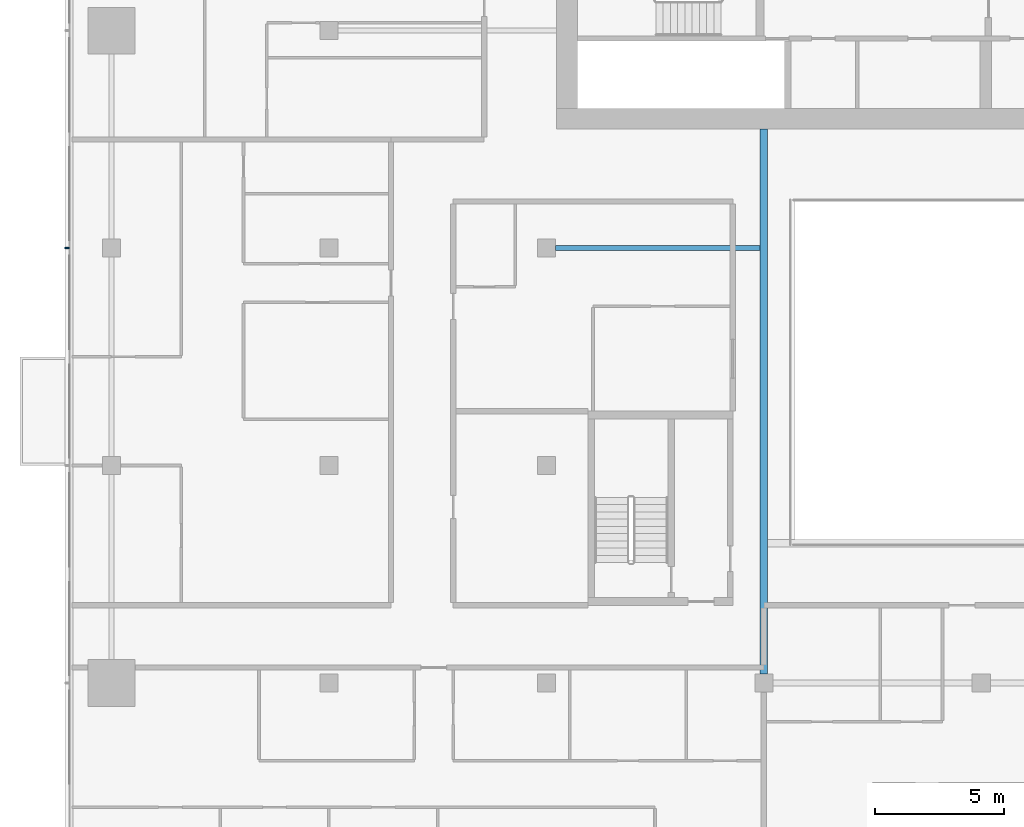
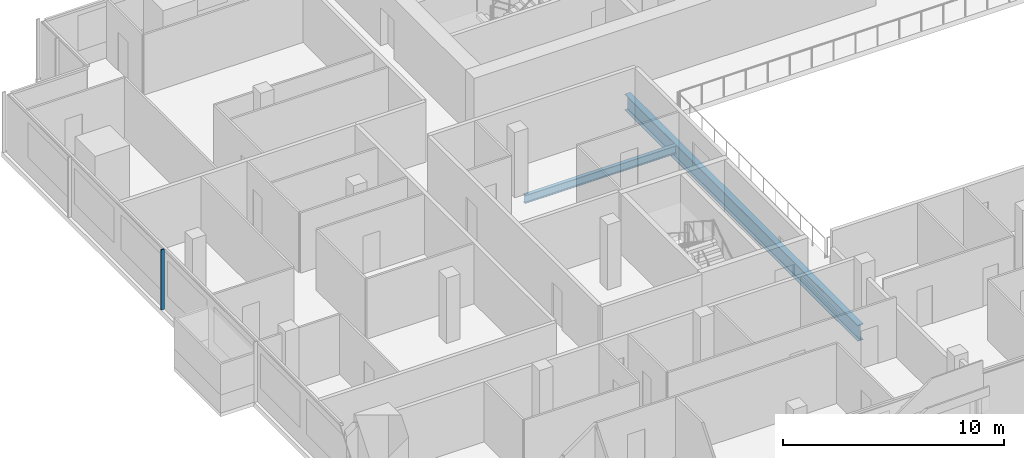
# One storey, part 4 of 30: 2 beams, 1 member, 1 element without a shape of its own.
"""IFC4 building model written with IfcOpenShell, lengths in metres."""

from ifc_helpers import new_model, si_unit, direction, frame, origin, origin_2d, place, context, subcontext, project, spatial, rectangle, i_section, extrude, material, material_profile, profile_set, type_object, element, aggregate, save


model = new_model("IFC4")

# Units and contexts
model_context = context("Model", 3, precision=1e-05, world=origin(), true_north=direction((0.0, 1.0)))
body_context = subcontext(model_context, "Body", "Model", "MODEL_VIEW")
ifc_project = project(units=[si_unit("LENGTHUNIT", "METRE"), si_unit("AREAUNIT", "SQUARE_METRE"), si_unit("VOLUMEUNIT", "CUBIC_METRE"), si_unit("PLANEANGLEUNIT", "RADIAN"), si_unit("MASSUNIT", "GRAM", prefix="KILO")], contexts=[model_context])

# Site, building, storey
site_placement = place(None, origin())
site = spatial("IfcSite", under=ifc_project, at=site_placement, CompositionType="ELEMENT")
building_placement = place(site_placement, origin())
building = spatial("IfcBuilding", under=site, at=building_placement, Name="Saffron Gate Tower", CompositionType="ELEMENT")
storey_placement = place(building_placement, frame((0.0, 0.0, 169.050048828125)))
storey = spatial("IfcBuildingStorey", under=building, at=storey_placement, Name="L41", CompositionType="ELEMENT", Elevation=169.050048828125)

# Beams
ifc_material_1 = material(Name="Structural steel S355", Category="steel")
ifc_material_profile_1 = material_profile(ifc_material_1, i_section(OverallWidth=0.300048828125, OverallDepth=0.889892578125, WebThickness=0.01611328125, FlangeThickness=0.030029296875, FilletRadius=0.030029296875, at=origin_2d()))
ifc_profile_set_1 = profile_set([ifc_material_profile_1], Name="Structural steel S355")
beam_type_1 = type_object("IfcBeamType", Name="B19 HEA 900", PredefinedType="BEAM", material=ifc_profile_set_1)
beam_1_placement = place(storey_placement, frame((75.0, 40.550048828125, -0.72509765625), z_axis=(0.0, 1.0, 0.0), x_axis=(-1.0, 0.0, 0.0)))
element("IfcBeam", 1, at=beam_1_placement, inside=storey, type_object=beam_type_1, Name="B19 ATRIUM GIRDER", PredefinedType="BEAM", context=body_context, shape_type="SweptSolid", body=[
    extrude(i_section(OverallWidth=0.300048828125, OverallDepth=0.889892578125, WebThickness=0.01611328125, FlangeThickness=0.030029296875, FilletRadius=0.030029296875, at=origin_2d()), origin(), (0.0, 0.0, 1.0), 21.050048828125),
])
ifc_material_profile_2 = material_profile(ifc_material_1, i_section(OverallWidth=0.18994140625, OverallDepth=0.449951171875, WebThickness=0.009521484375, FlangeThickness=0.0146484375, FilletRadius=0.02099609375, at=origin_2d()))
ifc_profile_set_2 = profile_set([ifc_material_profile_2], Name="Structural steel S355")
beam_type_2 = type_object("IfcBeamType", Name="B6 IPE 450", PredefinedType="BEAM", material=ifc_profile_set_2)
beam_2_placement = place(storey_placement, frame((66.949951171875, 57.0, -0.505126953125), z_axis=(1.0, 0.0, 0.0), x_axis=(0.0, 1.0, 0.0)))
element("IfcBeam", 2, at=beam_2_placement, inside=storey, type_object=beam_type_2, Name="B6 CORE TIE BEAM", PredefinedType="BEAM", context=body_context, shape_type="SweptSolid", body=[
    extrude(i_section(OverallWidth=0.18994140625, OverallDepth=0.449951171875, WebThickness=0.009521484375, FlangeThickness=0.0146484375, FilletRadius=0.02099609375, at=origin_2d()), origin(), (0.0, 0.0, 1.0), 7.900146484375),
])

# Curtain wall, member
ifc_material_2 = material(Name="Aluminium, bronze anodised", Category="aluminium")
curtain_wall_type = type_object("IfcCurtainWallType", Name="CWS2 curtain wall side facades", PredefinedType="NOTDEFINED", material=ifc_material_2)
curtain_wall_placement = place(storey_placement, origin())
curtain_wall = element("IfcCurtainWall", 3, at=curtain_wall_placement, inside=storey, type_object=curtain_wall_type, Name="CWS2 run 10", PredefinedType="NOTDEFINED")
ifc_material_profile_3 = material_profile(ifc_material_2, rectangle(XDim=0.159912109375, YDim=0.06005859375, at=origin_2d()))
ifc_profile_set_3 = profile_set([ifc_material_profile_3], Name="Aluminium, bronze anodised")
member_type = type_object("IfcMemberType", Name="CWS2 mullion 60x160", PredefinedType="MULLION", material=ifc_profile_set_3)
member_placement = place(storey_placement, frame((48.080078125, 57.0, 0.0), z_axis=(0.0, 0.0, 1.0), x_axis=(1.0, 0.0, 0.0)))
member = element("IfcMember", 4, at=member_placement, type_object=member_type, Name="CWS2 mullion 3", PredefinedType="MULLION", context=body_context, shape_type="SweptSolid", body=[
    extrude(rectangle(XDim=0.159912109375, YDim=0.06005859375, at=origin_2d()), origin(), (0.0, 0.0, 1.0), 3.320068359375),
])
aggregate(curtain_wall, [member])

save(model, "model.ifc")
